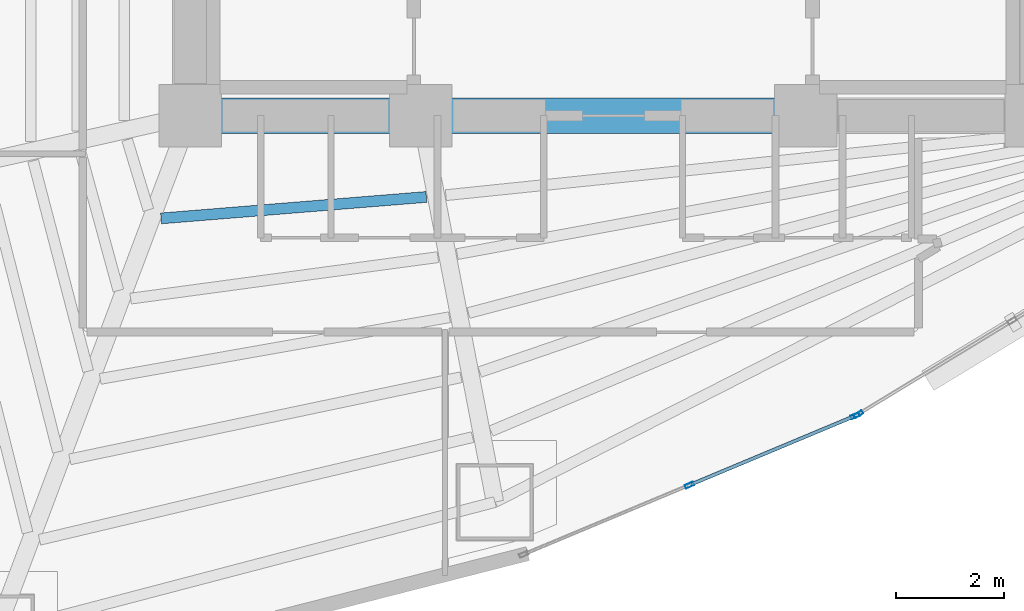
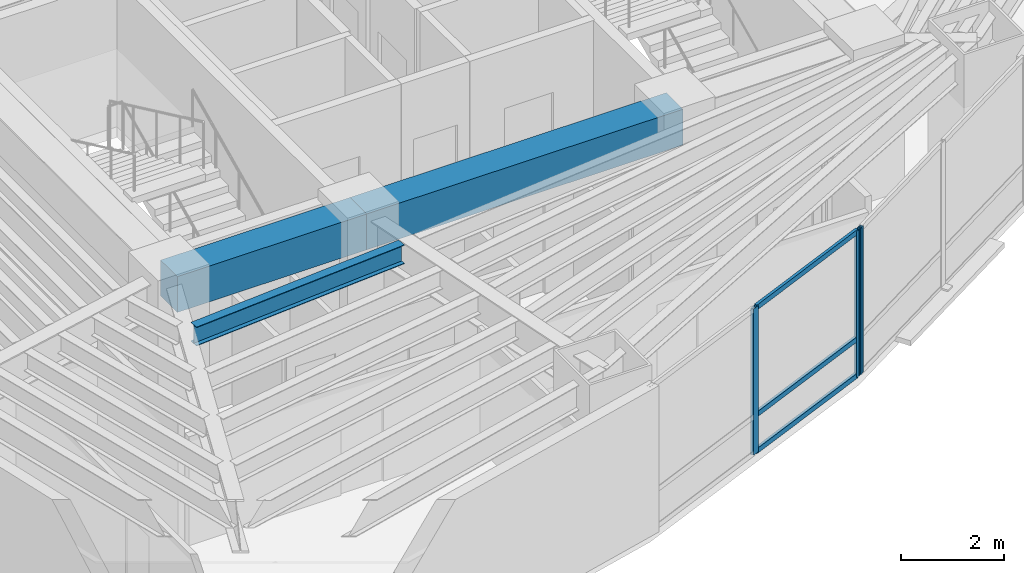
# One storey, part 4 of 17: 6 members, 3 beams, 2 elements without a shape of their own.
"""IFC4 building model written with IfcOpenShell, lengths in metres."""

from ifc_helpers import new_model, si_unit, direction, frame, origin, origin_2d, place, context, subcontext, project, spatial, rectangle, hollow_rectangle, i_section, extrude, material, layer, layer_set, material_profile, profile_set, type_object, element, aggregate, save


model = new_model("IFC4")

# Units and contexts
model_context = context("Model", 3, precision=1e-05, world=origin(), true_north=direction((0.0, 1.0)))
body_context = subcontext(model_context, "Body", "Model", "MODEL_VIEW")
ifc_project = project(units=[si_unit("LENGTHUNIT", "METRE"), si_unit("AREAUNIT", "SQUARE_METRE"), si_unit("VOLUMEUNIT", "CUBIC_METRE"), si_unit("PLANEANGLEUNIT", "RADIAN"), si_unit("MASSUNIT", "GRAM", prefix="KILO")], contexts=[model_context])

# Site, building, storey
site_placement = place(None, origin())
site = spatial("IfcSite", under=ifc_project, at=site_placement, CompositionType="ELEMENT")
building_placement = place(site_placement, origin())
building = spatial("IfcBuilding", under=site, at=building_placement, Name="Menara Vayukalpa", CompositionType="ELEMENT")
storey_placement = place(building_placement, frame((0.0, 0.0, 42.47998046875)))
storey = spatial("IfcBuildingStorey", under=building, at=storey_placement, Name="L09", CompositionType="ELEMENT", Elevation=42.47998046875)

# Beams
ifc_material_1 = material(Name="Concrete C60/75", Category="concrete")
ifc_material_profile_1 = material_profile(ifc_material_1, rectangle(XDim=0.64990234375, YDim=0.85009765625, at=origin_2d()), Name="RC 650x850")
ifc_profile_set_1 = profile_set([ifc_material_profile_1], Name="Concrete C60/75")
beam_type_1 = type_object("IfcBeamType", Name="BM-CB1", PredefinedType="BEAM", material=ifc_profile_set_1)
beam_1_placement = place(storey_placement, frame((17.800048828125, 17.199951171875, 3.044921875), z_axis=(1.0, 0.0, 0.0), x_axis=(0.0, 1.0, 0.0)))
element("IfcBeam", 1, at=beam_1_placement, inside=storey, type_object=beam_type_1, Name="L09 Core Tie Beam CBR1", PredefinedType="BEAM", context=body_context, shape_type="SweptSolid", body=[
    extrude(rectangle(XDim=0.64990234375, YDim=0.85009765625, at=origin_2d()), origin(), (0.0, 0.0, 1.0), 4.25),
])
beam_2_placement = place(storey_placement, frame((22.050048828125, 17.199951171875, 3.044921875), z_axis=(1.0, 0.0, 0.0), x_axis=(0.0, 1.0, 0.0)))
element("IfcBeam", 2, at=beam_2_placement, inside=storey, type_object=beam_type_1, Name="L09 Core Tie Beam CBR2", PredefinedType="BEAM", context=body_context, shape_type="SweptSolid", body=[
    extrude(rectangle(XDim=0.64990234375, YDim=0.85009765625, at=origin_2d()), origin(), (0.0, 0.0, 1.0), 7.099853515625),
])
ifc_material_2 = material(Name="Steel S355", Category="steel")
ifc_material_profile_2 = material_profile(ifc_material_2, i_section(OverallWidth=0.199951171875, OverallDepth=0.449951171875, WebThickness=0.009033203125, FlangeThickness=0.013916015625, at=origin_2d()), Name="WF 450x200x9x14")
ifc_profile_set_2 = profile_set([ifc_material_profile_2], Name="Steel S355")
beam_type_2 = type_object("IfcBeamType", Name="BM-SJ1", PredefinedType="JOIST", material=ifc_profile_set_2)
beam_3_placement = place(storey_placement, frame((17.262451171875, 15.306396484375, 3.2451171875), z_axis=(0.996745483939, 0.08061290373, 0.0), x_axis=(-0.08061290373, 0.996745483939, 0.0)))
element("IfcBeam", 3, at=beam_3_placement, inside=storey, type_object=beam_type_2, Name="L09 Secondary Floor Joist SJ07-1", PredefinedType="JOIST", context=body_context, shape_type="SweptSolid", body=[
    extrude(i_section(OverallWidth=0.199951171875, OverallDepth=0.449951171875, WebThickness=0.009033203125, FlangeThickness=0.013916015625, at=origin_2d()), origin(), (0.0, 0.0, 1.0), 4.9091796875),
])

# Curtain wall, members
ifc_material_3 = material(Name="Anodised Terracotta Aluminium Alloy 6063-T6", Category="masonry")
ifc_layer = layer(ifc_material_3, 0.1650390625)
ifc_layer_set = layer_set([ifc_layer], Name="Anodised Terracotta Aluminium Alloy 6063-T6")
curtain_wall_type = type_object("IfcCurtainWallType", Name="CW-CW2", PredefinedType="USERDEFINED", material=ifc_layer_set)
curtain_wall_1_placement = place(storey_placement, origin())
curtain_wall_1 = element("IfcCurtainWall", 4, at=curtain_wall_1_placement, inside=storey, type_object=curtain_wall_type, Name="L09 Low Rise Terracotta Ribbon Curtain Wall CW2 16", ObjectType="UNITISED", PredefinedType="USERDEFINED")
ifc_material_4 = material(Name="Anodised Terracotta Aluminium Alloy 6063-T6", Category="masonry")
ifc_material_profile_3 = material_profile(ifc_material_4, hollow_rectangle(XDim=0.070068359375, YDim=0.1650390625, WallThickness=0.00390625, at=origin_2d()), Name="ALU 70x165x4")
ifc_profile_set_3 = profile_set([ifc_material_profile_3], Name="Anodised Terracotta Aluminium Alloy 6063-T6")
member_type_1 = type_object("IfcMemberType", Name="CWM-CW2", PredefinedType="MULLION", material=ifc_profile_set_3)
member_1_placement = place(storey_placement, frame((27.0068359375, 10.388916015625, 0.0), z_axis=(0.0, 0.0, 1.0), x_axis=(-0.385895120445, 0.922542658101, 0.0)))
member_1 = element("IfcMember", 5, at=member_1_placement, type_object=member_type_1, Name="CW2 mullion 2", PredefinedType="MULLION", context=body_context, shape_type="SweptSolid", body=[
    extrude(hollow_rectangle(XDim=0.070068359375, YDim=0.1650390625, WallThickness=0.00390625, at=origin_2d()), origin(), (0.0, 0.0, 1.0), 3.469970703125),
])
member_2_placement = place(storey_placement, frame((30.062744140625, 11.6669921875, 0.0), z_axis=(0.0, 0.0, 1.0), x_axis=(-0.385895120445, 0.922542658101, 0.0)))
member_2 = element("IfcMember", 6, at=member_2_placement, type_object=member_type_1, Name="CW2 mullion 3", PredefinedType="MULLION", context=body_context, shape_type="SweptSolid", body=[
    extrude(hollow_rectangle(XDim=0.070068359375, YDim=0.1650390625, WallThickness=0.00390625, at=origin_2d()), origin(), (0.0, 0.0, 1.0), 3.469970703125),
])

# Curtain wall, member
curtain_wall_2_placement = place(storey_placement, origin())
curtain_wall_2 = element("IfcCurtainWall", 7, at=curtain_wall_2_placement, inside=storey, type_object=curtain_wall_type, Name="L09 Low Rise Terracotta Ribbon Curtain Wall CW2 17", ObjectType="UNITISED", PredefinedType="USERDEFINED")
member_3_placement = place(storey_placement, frame((30.125, 11.69873046875, 0.0), z_axis=(0.0, 0.0, 1.0), x_axis=(-0.519181964377, 0.854663727945, 0.0)))
member_3 = element("IfcMember", 8, at=member_3_placement, type_object=member_type_1, Name="CW2 mullion 1", PredefinedType="MULLION", context=body_context, shape_type="SweptSolid", body=[
    extrude(hollow_rectangle(XDim=0.070068359375, YDim=0.1650390625, WallThickness=0.00390625, at=origin_2d()), origin(), (0.0, 0.0, 1.0), 3.469970703125),
])
aggregate(curtain_wall_2, [member_3])

# Member
ifc_material_5 = material(Name="Anodised Terracotta Aluminium Alloy 6063-T6", Category="masonry")
ifc_material_profile_4 = material_profile(ifc_material_5, hollow_rectangle(XDim=0.06494140625, YDim=0.1201171875, WallThickness=0.00341796875, at=origin_2d()), Name="ALU 65x120x3.5")
ifc_profile_set_4 = profile_set([ifc_material_profile_4], Name="Anodised Terracotta Aluminium Alloy 6063-T6")
member_type_2 = type_object("IfcMemberType", Name="CWT-CW2", PredefinedType="USERDEFINED", material=ifc_profile_set_4)
member_4_placement = place(storey_placement, frame((27.0390625, 10.40234375, 0.032470703125), z_axis=(0.922552588381, 0.385871379699, 0.0), x_axis=(-0.385871379699, 0.922552588381, 0.0)))
member_4 = element("IfcMember", 9, at=member_4_placement, type_object=member_type_2, Name="CW2 transom 2.1", ObjectType="TRANSOM", PredefinedType="USERDEFINED", context=body_context, shape_type="SweptSolid", body=[
    extrude(hollow_rectangle(XDim=0.06494140625, YDim=0.1201171875, WallThickness=0.00341796875, at=origin_2d()), origin(), (0.0, 0.0, 1.0), 3.24267578125),
])

member_5_placement = place(storey_placement, frame((27.0390625, 10.40234375, 0.89990234375), z_axis=(0.922552588381, 0.385871379699, 0.0), x_axis=(-0.385871379699, 0.922552588381, 0.0)))
member_5 = element("IfcMember", 10, at=member_5_placement, type_object=member_type_2, Name="CW2 transom 2.2", ObjectType="TRANSOM", PredefinedType="USERDEFINED", context=body_context, shape_type="SweptSolid", body=[
    extrude(hollow_rectangle(XDim=0.06494140625, YDim=0.1201171875, WallThickness=0.00341796875, at=origin_2d()), origin(), (0.0, 0.0, 1.0), 3.24267578125),
])

member_6_placement = place(storey_placement, frame((27.0390625, 10.40234375, 3.4375), z_axis=(0.922552588381, 0.385871379699, 0.0), x_axis=(-0.385871379699, 0.922552588381, 0.0)))
member_6 = element("IfcMember", 11, at=member_6_placement, type_object=member_type_2, Name="CW2 transom 2.3", ObjectType="TRANSOM", PredefinedType="USERDEFINED", context=body_context, shape_type="SweptSolid", body=[
    extrude(hollow_rectangle(XDim=0.06494140625, YDim=0.1201171875, WallThickness=0.00341796875, at=origin_2d()), origin(), (0.0, 0.0, 1.0), 3.24267578125),
])

aggregate(curtain_wall_1, [member_1, member_2, member_4, member_5, member_6])

save(model, "model.ifc")
